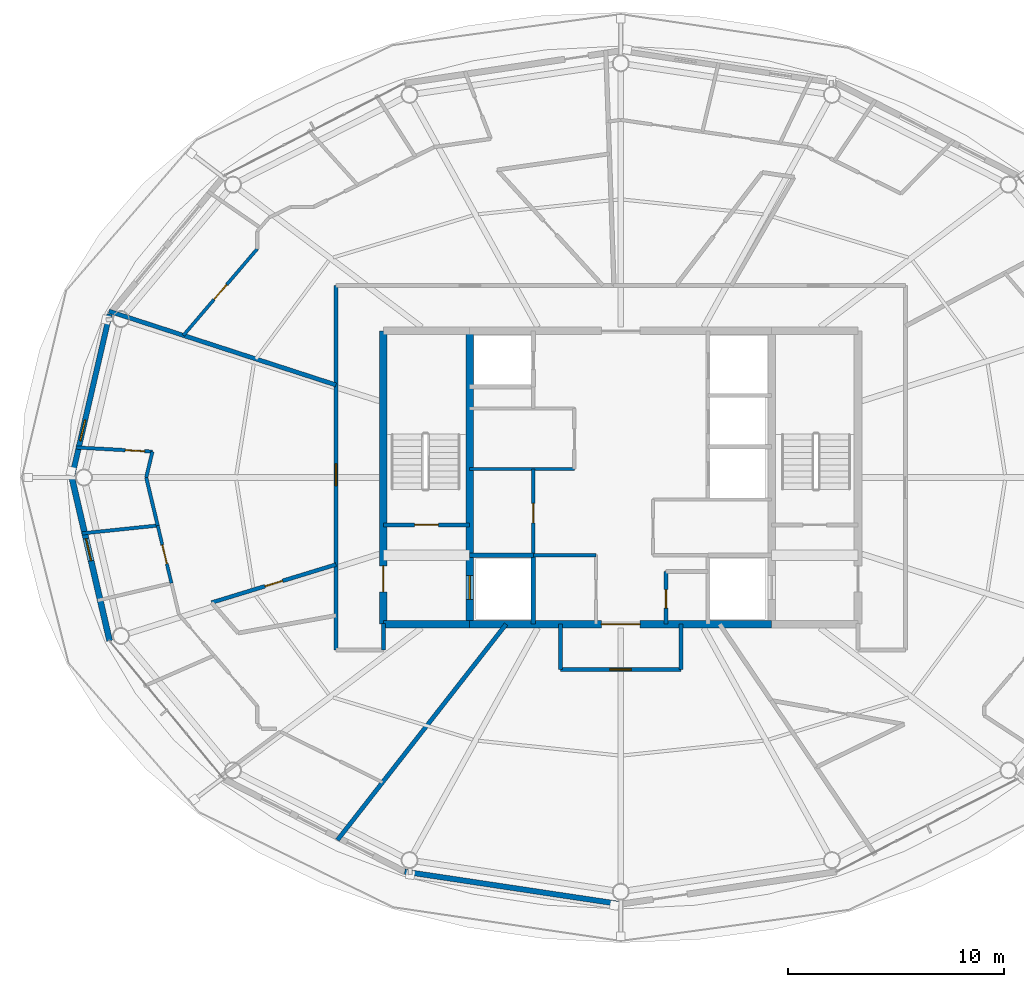
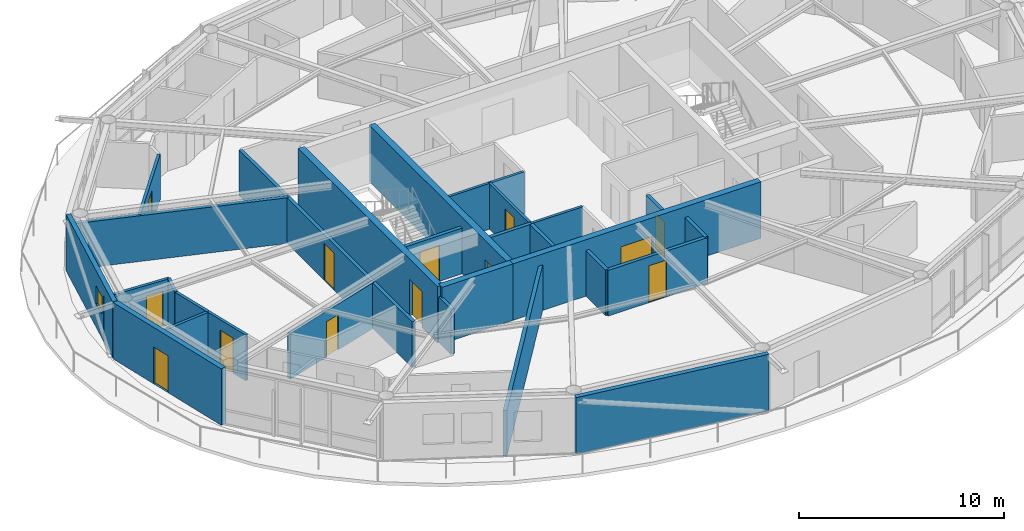
# One storey, part 16 of 22: 28 walls, 13 doors, 1 window, 14 openings.
"""IFC4 building model written with IfcOpenShell, lengths in metres."""

from ifc_helpers import new_model, si_unit, direction, frame, frame_2d, origin, place, context, subcontext, project, spatial, rectangle, extrude, material, layer, layer_set, type_object, element, fill, save


model = new_model("IFC4")

# Units and contexts
model_context = context("Model", 3, precision=1e-05, world=origin(), true_north=direction((0.0, 1.0)))
body_context = subcontext(model_context, "Body", "Model", "MODEL_VIEW")
ifc_project = project(units=[si_unit("LENGTHUNIT", "METRE"), si_unit("AREAUNIT", "SQUARE_METRE"), si_unit("VOLUMEUNIT", "CUBIC_METRE"), si_unit("PLANEANGLEUNIT", "RADIAN"), si_unit("MASSUNIT", "GRAM", prefix="KILO")], contexts=[model_context])

# Site, building, storey
site_placement = place(None, origin())
site = spatial("IfcSite", under=ifc_project, at=site_placement, CompositionType="ELEMENT")
building_placement = place(site_placement, origin())
building = spatial("IfcBuilding", under=site, at=building_placement, Name="Sarneth Arch Tower", CompositionType="ELEMENT")
storey_placement = place(building_placement, frame((0.0, 0.0, 283.800048828125)))
storey = spatial("IfcBuildingStorey", under=building, at=storey_placement, Name="L73", CompositionType="ELEMENT", Elevation=283.800048828125)

# Wall
ifc_material_1 = material(Name="Concrete C50/60", Category="concrete")
ifc_layer_1 = layer(ifc_material_1, 0.35009765625)
ifc_layer_set_1 = layer_set([ifc_layer_1], Name="Concrete C50/60")
wall_type_1 = type_object("IfcWallType", Name="WALL-CORE-350", PredefinedType="SHEAR", material=ifc_layer_set_1)
wall_1_placement = place(storey_placement, frame((37.0, 35.199951171875, 0.0), z_axis=(0.0, 0.0, 1.0), x_axis=(1.0, 0.0, 0.0)))
element("IfcWall", 1, at=wall_1_placement, inside=storey, type_object=wall_type_1, Name="L73 Core shear wall S-W", PredefinedType="SHEAR", context=body_context, shape_type="SweptSolid", body=[
    extrude(rectangle(XDim=4.0, YDim=0.35009765625, at=frame_2d((2.0, 0.0))), origin(), (0.0, 0.0, 1.0), 3.369873046875),
])

# Wall, opening, door
wall_2_placement = place(storey_placement, frame((41.0, 35.199951171875, 0.0), z_axis=(0.0, 0.0, 1.0), x_axis=(1.0, 0.0, 0.0)))
wall_2 = element("IfcWall", 2, at=wall_2_placement, inside=storey, type_object=wall_type_1, Name="L73 Core shear wall S-M", PredefinedType="SHEAR", context=body_context, shape_type="SweptSolid", body=[
    extrude(rectangle(XDim=14.0, YDim=0.35009765625, at=frame_2d((7.0, 0.0))), origin(), (0.0, 0.0, 1.0), 3.369873046875),
])
opening_1_placement = place(wall_2_placement, frame((6.10009765625, 0.0, 0.0)))
opening_1 = element("IfcOpeningElement", 3, at=opening_1_placement, cuts=wall_2, Name="Opening FD-01", PredefinedType="OPENING", context=body_context, shape_type="SweptSolid", body=[
    extrude(rectangle(XDim=1.800048828125, YDim=2.25, at=frame_2d((0.89990234375, 1.125))), frame((0.0, 0.18505859375, 0.0), z_axis=(0.0, -1.0, 0.0), x_axis=(1.0, 0.0, 0.0)), (0.0, 0.0, 1.0), 0.3701171875),
])
ifc_material_2 = material(Name="Galvanised Steel S275 fire door set", Category="steel")
door_type_1 = type_object("IfcDoorType", Name="DR-FD90-1800", OperationType="DOUBLE_DOOR_SINGLE_SWING", PredefinedType="DOOR", material=ifc_material_2)
door_1_placement = place(opening_1_placement, origin())
door_1 = element("IfcDoor", 4, at=door_1_placement, inside=storey, type_object=door_type_1, Name="L73 Central lift lobby south door", OperationType="DOUBLE_DOOR_SINGLE_SWING", OverallHeight=2.25, OverallWidth=1.800048828125, PredefinedType="DOOR", context=body_context, shape_type="SweptSolid", body=[
    extrude(rectangle(XDim=1.800048828125, YDim=2.25, at=frame_2d((0.89990234375, 1.125))), frame((0.0, 0.02490234375, 0.0), z_axis=(0.0, -1.0, 0.0), x_axis=(1.0, 0.0, 0.0)), (0.0, 0.0, 1.0), 0.050048828125),
])
fill(opening_1, door_1)

wall_3_placement = place(storey_placement, frame((37.0, 35.199951171875, 0.0), z_axis=(0.0, 0.0, 1.0), x_axis=(0.0, 1.0, 0.0)))
wall_3 = element("IfcWall", 5, at=wall_3_placement, inside=storey, type_object=wall_type_1, Name="L73 Core shear wall W", PredefinedType="SHEAR", context=body_context, shape_type="SweptSolid", body=[
    extrude(rectangle(XDim=13.60009765625, YDim=0.35009765625, at=frame_2d((6.800048828125, 0.0))), origin(), (0.0, 0.0, 1.0), 3.369873046875),
])
opening_2_placement = place(wall_3_placement, frame((1.5, 0.0, 0.0)))
opening_2 = element("IfcOpeningElement", 6, at=opening_2_placement, cuts=wall_3, Name="Opening FD-02", PredefinedType="OPENING", context=body_context, shape_type="SweptSolid", body=[
    extrude(rectangle(XDim=1.199951171875, YDim=2.14990234375, at=frame_2d((0.60009765625, 1.074951171875))), frame((0.0, 0.18505859375, 0.0), z_axis=(0.0, -1.0, 0.0), x_axis=(1.0, 0.0, 0.0)), (0.0, 0.0, 1.0), 0.3701171875),
])
ifc_material_3 = material(Name="Galvanised Steel S275 fire door set", Category="steel")
door_type_2 = type_object("IfcDoorType", Name="DR-FD90-1200", OperationType="SINGLE_SWING_LEFT", PredefinedType="DOOR", material=ifc_material_3)
door_2_placement = place(opening_2_placement, origin())
door_2 = element("IfcDoor", 7, at=door_2_placement, inside=storey, type_object=door_type_2, Name="L73 Firefighting lobby 1 exit door", OperationType="SINGLE_SWING_LEFT", OverallHeight=2.14990234375, OverallWidth=1.199951171875, PredefinedType="DOOR", context=body_context, shape_type="SweptSolid", body=[
    extrude(rectangle(XDim=1.199951171875, YDim=2.14990234375, at=frame_2d((0.60009765625, 1.074951171875))), frame((0.0, 0.02490234375, 0.0), z_axis=(0.0, -1.0, 0.0), x_axis=(1.0, 0.0, 0.0)), (0.0, 0.0, 1.0), 0.050048828125),
])
fill(opening_2, door_2)

wall_4_placement = place(storey_placement, frame((41.0, 35.199951171875, 0.0), z_axis=(0.0, 0.0, 1.0), x_axis=(0.0, 1.0, 0.0)))
wall_4 = element("IfcWall", 8, at=wall_4_placement, inside=storey, type_object=wall_type_1, Name="L73 Core shear wall WEB-W", PredefinedType="SHEAR", context=body_context, shape_type="SweptSolid", body=[
    extrude(rectangle(XDim=13.60009765625, YDim=0.35009765625, at=frame_2d((6.800048828125, 0.0))), origin(), (0.0, 0.0, 1.0), 3.369873046875),
])
opening_3_placement = place(wall_4_placement, frame((1.14990234375, 0.0, 0.0)))
opening_3 = element("IfcOpeningElement", 9, at=opening_3_placement, cuts=wall_4, Name="Opening LD-1", PredefinedType="OPENING", context=body_context, shape_type="SweptSolid", body=[
    extrude(rectangle(XDim=1.10009765625, YDim=2.199951171875, at=frame_2d((0.550048828125, 1.10009765625))), frame((0.0, 0.18505859375, 0.0), z_axis=(0.0, -1.0, 0.0), x_axis=(1.0, 0.0, 0.0)), (0.0, 0.0, 1.0), 0.3701171875),
])
ifc_material_4 = material(Name="Brushed Stainless Steel 304 lift landing door", Category="steel")
door_type_3 = type_object("IfcDoorType", Name="DR-LIFT-SLIDE-1100", OperationType="SLIDING_TO_LEFT", PredefinedType="DOOR", material=ifc_material_4)
door_3_placement = place(opening_3_placement, origin())
door_3 = element("IfcDoor", 10, at=door_3_placement, inside=storey, type_object=door_type_3, Name="L73 Firefighting lift landing door FL-1", OperationType="SLIDING_TO_LEFT", OverallHeight=2.199951171875, OverallWidth=1.10009765625, PredefinedType="DOOR", context=body_context, shape_type="SweptSolid", body=[
    extrude(rectangle(XDim=1.10009765625, YDim=2.199951171875, at=frame_2d((0.550048828125, 1.10009765625))), frame((0.0, 0.02490234375, 0.0), z_axis=(0.0, -1.0, 0.0), x_axis=(1.0, 0.0, 0.0)), (0.0, 0.0, 1.0), 0.050048828125),
])
fill(opening_3, door_3)

ifc_material_5 = material(Name="Double steel-stud corridor fire wall", Category="steel")
ifc_layer_2 = layer(ifc_material_5, 0.18994140625)
ifc_layer_set_2 = layer_set([ifc_layer_2], Name="Double steel-stud corridor fire wall")
wall_type_2 = type_object("IfcWallType", Name="WALL-CORR-190", PredefinedType="PARTITIONING", material=ifc_layer_set_2)
wall_5_placement = place(storey_placement, frame((34.800048828125, 34.0, 0.0), z_axis=(0.0, 0.0, 1.0), x_axis=(0.0, 1.0, 0.0)))
wall_5 = element("IfcWall", 11, at=wall_5_placement, inside=storey, type_object=wall_type_2, Name="L73 Interior partition W-L73-TP-011", PredefinedType="PARTITIONING", context=body_context, shape_type="SweptSolid", body=[
    extrude(rectangle(XDim=16.89990234375, YDim=0.18994140625, at=frame_2d((8.449951171875, 0.0))), origin(), (0.0, 0.0, 1.0), 2.72998046875),
])
opening_4_placement = place(wall_5_placement, frame((7.626708984375, 0.0, 0.0)))
opening_4 = element("IfcOpeningElement", 12, at=opening_4_placement, cuts=wall_5, Name="Opening FD-08", PredefinedType="OPENING", context=body_context, shape_type="SweptSolid", body=[
    extrude(rectangle(XDim=1.0, YDim=2.199951171875, at=frame_2d((0.5, 1.10009765625))), frame((0.0, 0.10498046875, 0.0), z_axis=(0.0, -1.0, 0.0), x_axis=(1.0, 0.0, 0.0)), (0.0, 0.0, 1.0), 0.2099609375),
])
ifc_material_6 = material(Name="Hardwood timber acoustic fire door", Category="wood")
door_type_4 = type_object("IfcDoorType", Name="DR-FD60-1000", OperationType="SINGLE_SWING_LEFT", PredefinedType="DOOR", material=ifc_material_6)
door_4_placement = place(opening_4_placement, origin())
door_4 = element("IfcDoor", 13, at=door_4_placement, inside=storey, type_object=door_type_4, Name="L73 Interior door DR-L73-U3-ENT", OperationType="SINGLE_SWING_RIGHT", OverallHeight=2.199951171875, OverallWidth=1.0, PredefinedType="DOOR", context=body_context, shape_type="SweptSolid", body=[
    extrude(rectangle(XDim=1.0, YDim=2.199951171875, at=frame_2d((0.5, 1.10009765625))), frame((0.0, 0.02490234375, 0.0), z_axis=(0.0, -1.0, 0.0), x_axis=(1.0, 0.0, 0.0)), (0.0, 0.0, 1.0), 0.050048828125),
])
fill(opening_4, door_4)

wall_6_placement = place(storey_placement, frame((50.800048828125, 33.10009765625, 0.0), z_axis=(0.0, 0.0, 1.0), x_axis=(-1.0, 0.0, 0.0)))
wall_6 = element("IfcWall", 14, at=wall_6_placement, inside=storey, type_object=wall_type_2, Name="L73 Interior partition W-L73-TP-017", PredefinedType="PARTITIONING", context=body_context, shape_type="SweptSolid", body=[
    extrude(rectangle(XDim=5.60009765625, YDim=0.18994140625, at=frame_2d((2.800048828125, 0.0))), origin(), (0.0, 0.0, 1.0), 2.72998046875),
])
opening_5_placement = place(wall_6_placement, frame((2.300048828125, 0.0, 0.0)))
opening_5 = element("IfcOpeningElement", 15, at=opening_5_placement, cuts=wall_6, Name="Opening FD-08", PredefinedType="OPENING", context=body_context, shape_type="SweptSolid", body=[
    extrude(rectangle(XDim=1.0, YDim=2.199951171875, at=frame_2d((0.5, 1.10009765625))), frame((0.0, 0.10498046875, 0.0), z_axis=(0.0, -1.0, 0.0), x_axis=(1.0, 0.0, 0.0)), (0.0, 0.0, 1.0), 0.2099609375),
])
door_5_placement = place(opening_5_placement, origin())
door_5 = element("IfcDoor", 16, at=door_5_placement, inside=storey, type_object=door_type_4, Name="L73 Interior door DR-L73-RAMN-04", OperationType="SINGLE_SWING_RIGHT", OverallHeight=2.199951171875, OverallWidth=1.0, PredefinedType="DOOR", context=body_context, shape_type="SweptSolid", body=[
    extrude(rectangle(XDim=1.0, YDim=2.199951171875, at=frame_2d((0.5, 1.10009765625))), frame((0.0, 0.02490234375, 0.0), z_axis=(0.0, -1.0, 0.0), x_axis=(1.0, 0.0, 0.0)), (0.0, 0.0, 1.0), 0.050048828125),
])
fill(opening_5, door_5)

# Walls
for number, where, z_axis, x_axis, name in (
    (17, (50.800048828125, 35.199951171875, 0.0), (0.0, 0.0, 1.0), (0.0, -1.0, 0.0), "L73 Interior partition W-L73-TP-016"),
    (18, (45.199951171875, 33.10009765625, 0.0), (0.0, 0.0, 1.0), (0.0, 1.0, 0.0), "L73 Interior partition W-L73-TP-018"),
):
    element("IfcWall", number, at=place(storey_placement, frame(where, z_axis=z_axis, x_axis=x_axis)), inside=storey, type_object=wall_type_2, Name=name, PredefinedType="PARTITIONING", context=body_context, shape_type="SweptSolid", body=[
        extrude(rectangle(XDim=2.099853515625, YDim=0.18994140625, at=frame_2d((1.0498046875, 0.0))), origin(), (0.0, 0.0, 1.0), 2.72998046875),
    ])
wall_7_placement = place(storey_placement, frame((37.0, 35.23193359375, 0.0), z_axis=(0.0, 0.0, 1.0), x_axis=(0.0, -1.0, 0.0)))
element("IfcWall", 19, at=wall_7_placement, inside=storey, type_object=wall_type_2, Name="L73 Interior partition W-L73-TP-008", PredefinedType="PARTITIONING", context=body_context, shape_type="SweptSolid", body=[
    extrude(rectangle(XDim=1.23193359375, YDim=0.18994140625, at=frame_2d((0.615966796875, 0.0))), origin(), (0.0, 0.0, 1.0), 2.72998046875),
])

# Wall, opening, window
ifc_material_7 = material(Name="Extruded terracotta rainscreen on Concrete C40/50 backing", Category="masonry")
ifc_layer_3 = layer(ifc_material_7, 0.25)
ifc_layer_set_3 = layer_set([ifc_layer_3], Name="Extruded terracotta rainscreen on Concrete C40/50 backing")
wall_type_3 = type_object("IfcWallType", Name="WALL-EXT-SPAND-250", PredefinedType="SOLIDWALL", material=ifc_layer_set_3)
wall_8_placement = place(storey_placement, frame((24.30615234375, 49.569580078125, 0.0), z_axis=(0.0, 0.0, 1.0), x_axis=(-0.225635078214, -0.974211892495, 0.0)))
wall_8 = element("IfcWall", 20, at=wall_8_placement, inside=storey, type_object=wall_type_3, Name="L73 Terracotta perimeter wall 08", PredefinedType="SOLIDWALL", context=body_context, shape_type="SweptSolid", body=[
    extrude(rectangle(XDim=7.77001953125, YDim=0.25, at=frame_2d((3.885009765625, 0.0))), origin(), (0.0, 0.0, 1.0), 3.369873046875),
])
opening_6_placement = place(wall_8_placement, frame((5.02978515625, 0.0, 1.419921875)))
opening_6 = element("IfcOpeningElement", 21, at=opening_6_placement, cuts=wall_8, Name="Opening W-14", PredefinedType="OPENING", context=body_context, shape_type="SweptSolid", body=[
    extrude(rectangle(XDim=1.0, YDim=1.050048828125, at=frame_2d((0.5, 0.52490234375))), frame((0.0, 0.135009765625, 0.0), z_axis=(0.0, -1.0, 0.0), x_axis=(1.0, 0.0, 0.0)), (0.0, 0.0, 1.0), 0.27001953125),
])
ifc_material_8 = material(Name="Thermally broken Aluminium 6063-T6 and low-e laminated IGU", Category="aluminium")
window_type = type_object("IfcWindowType", Name="WIN-TWR-1000x1050", PartitioningType="SINGLE_PANEL", PredefinedType="WINDOW", material=ifc_material_8)
window_placement = place(opening_6_placement, origin())
window = element("IfcWindow", 22, at=window_placement, inside=storey, type_object=window_type, Name="L73 Dwelling bedroom window 03", OverallHeight=1.050048828125, OverallWidth=1.0, PartitioningType="SINGLE_PANEL", PredefinedType="WINDOW", context=body_context, shape_type="SweptSolid", body=[
    extrude(rectangle(XDim=1.0, YDim=1.050048828125, at=frame_2d((0.5, 0.52490234375))), frame((0.0, 0.030029296875, 0.0), z_axis=(0.0, -1.0, 0.0), x_axis=(1.0, 0.0, 0.0)), (0.0, 0.0, 1.0), 0.06005859375),
])
fill(opening_6, window)

# Wall
wall_9_placement = place(storey_placement, frame((37.9873046875, 23.7255859375, 0.0), z_axis=(0.0, 0.0, 1.0), x_axis=(0.988882522213, -0.148698881169, 0.0)))
element("IfcWall", 23, at=wall_9_placement, inside=storey, type_object=wall_type_3, Name="L73 Terracotta perimeter wall 12", PredefinedType="SOLIDWALL", context=body_context, shape_type="SweptSolid", body=[
    extrude(rectangle(XDim=10.125244140625, YDim=0.25, at=frame_2d((5.0625, 0.0))), origin(), (0.0, 0.0, 1.0), 3.369873046875),
])

# Wall, opening, door
ifc_material_9 = material(Name="Extruded terracotta rainscreen on Concrete C40/50 backing", Category="masonry")
ifc_layer_4 = layer(ifc_material_9, 0.280029296875)
ifc_layer_set_4 = layer_set([ifc_layer_4], Name="Extruded terracotta rainscreen on Concrete C40/50 backing")
wall_type_4 = type_object("IfcWallType", Name="WALL-EXT-TERRA-280", PredefinedType="SOLIDWALL", material=ifc_layer_set_4)
wall_10_placement = place(storey_placement, frame((22.552978515625, 42.0, 0.0), z_axis=(0.0, 0.0, 1.0), x_axis=(0.225635078214, -0.974211892495, 0.0)))
wall_10 = element("IfcWall", 24, at=wall_10_placement, inside=storey, type_object=wall_type_4, Name="L73 Terracotta perimeter wall 09", PredefinedType="SOLIDWALL", context=body_context, shape_type="SweptSolid", body=[
    extrude(rectangle(XDim=7.77001953125, YDim=0.280029296875, at=frame_2d((3.885009765625, 0.0))), origin(), (0.0, 0.0, 1.0), 3.369873046875),
])
opening_7_placement = place(wall_10_placement, frame((2.911865234375, 0.0, 0.0)))
opening_7 = element("IfcOpeningElement", 25, at=opening_7_placement, cuts=wall_10, Name="Opening BD-4", PredefinedType="OPENING", context=body_context, shape_type="SweptSolid", body=[
    extrude(rectangle(XDim=1.050048828125, YDim=2.199951171875, at=frame_2d((0.52490234375, 1.10009765625))), frame((0.0, 0.14990234375, 0.0), z_axis=(0.0, -1.0, 0.0), x_axis=(1.0, 0.0, 0.0)), (0.0, 0.0, 1.0), 0.300048828125),
])
ifc_material_10 = material(Name="Thermally broken Aluminium 6063-T6 and laminated safety glass", Category="aluminium")
door_type_5 = type_object("IfcDoorType", Name="DR-BALC-GLZ-1050", OperationType="SINGLE_SWING_RIGHT", PredefinedType="DOOR", material=ifc_material_10)
door_6_placement = place(opening_7_placement, origin())
door_6 = element("IfcDoor", 26, at=door_6_placement, inside=storey, type_object=door_type_5, Name="L73 Balcony glazed door 09", OperationType="SINGLE_SWING_RIGHT", OverallHeight=2.199951171875, OverallWidth=1.050048828125, PredefinedType="DOOR", context=body_context, shape_type="SweptSolid", body=[
    extrude(rectangle(XDim=1.050048828125, YDim=2.199951171875, at=frame_2d((0.52490234375, 1.10009765625))), frame((0.0, 0.02490234375, 0.0), z_axis=(0.0, -1.0, 0.0), x_axis=(1.0, 0.0, 0.0)), (0.0, 0.0, 1.0), 0.050048828125),
])
fill(opening_7, door_6)

ifc_material_11 = material(Name="Acoustic gypsum stud partition", Category="gypsum")
ifc_layer_5 = layer(ifc_material_11, 0.14990234375)
ifc_layer_set_5 = layer_set([ifc_layer_5], Name="Acoustic gypsum stud partition")
wall_type_5 = type_object("IfcWallType", Name="WALL-PART-150", PredefinedType="PARTITIONING", material=ifc_layer_set_5)
wall_11_placement = place(storey_placement, frame((43.949951171875, 38.39990234375, 0.0), z_axis=(0.0, 0.0, 1.0), x_axis=(0.0, 1.0, 0.0)))
wall_11 = element("IfcWall", 27, at=wall_11_placement, inside=storey, type_object=wall_type_5, Name="L73 Interior partition W-L73-RECPL-E", PredefinedType="PARTITIONING", context=body_context, shape_type="SweptSolid", body=[
    extrude(rectangle(XDim=4.0, YDim=0.14990234375, at=frame_2d((2.0, 0.0))), origin(), (0.0, 0.0, 1.0), 2.72998046875),
])
opening_8_placement = place(wall_11_placement, frame((1.5, 0.0, 0.0)))
opening_8 = element("IfcOpeningElement", 28, at=opening_8_placement, cuts=wall_11, Name="Opening FD-10", PredefinedType="OPENING", context=body_context, shape_type="SweptSolid", body=[
    extrude(rectangle(XDim=0.89990234375, YDim=2.14990234375, at=frame_2d((0.449951171875, 1.074951171875))), frame((0.0, 0.0849609375, 0.0), z_axis=(0.0, -1.0, 0.0), x_axis=(1.0, 0.0, 0.0)), (0.0, 0.0, 1.0), 0.169921875),
])
ifc_material_12 = material(Name="Galvanised Steel S275 riser/service fire door", Category="steel")
door_type_6 = type_object("IfcDoorType", Name="DR-FD60-900", OperationType="SINGLE_SWING_LEFT", PredefinedType="DOOR", material=ifc_material_12)
door_7_placement = place(opening_8_placement, origin())
door_7 = element("IfcDoor", 29, at=door_7_placement, inside=storey, type_object=door_type_6, Name="L73 Interior door DR-L73-RECPL", OperationType="SINGLE_SWING_LEFT", OverallHeight=2.14990234375, OverallWidth=0.89990234375, PredefinedType="DOOR", context=body_context, shape_type="SweptSolid", body=[
    extrude(rectangle(XDim=0.89990234375, YDim=2.14990234375, at=frame_2d((0.449951171875, 1.074951171875))), frame((0.0, 0.02490234375, 0.0), z_axis=(0.0, -1.0, 0.0), x_axis=(1.0, 0.0, 0.0)), (0.0, 0.0, 1.0), 0.050048828125),
])
fill(opening_8, door_7)

# Walls
wall_12_placement = place(storey_placement, frame((41.0, 42.39990234375, 0.0), z_axis=(0.0, 0.0, 1.0), x_axis=(1.0, 0.0, 0.0)))
element("IfcWall", 30, at=wall_12_placement, inside=storey, type_object=wall_type_5, Name="L73 Interior partition W-L73-RECPM1-S", PredefinedType="PARTITIONING", context=body_context, shape_type="SweptSolid", body=[
    extrude(rectangle(XDim=4.85009765625, YDim=0.14990234375, at=frame_2d((2.425048828125, 0.0))), origin(), (0.0, 0.0, 1.0), 2.72998046875),
])
wall_13_placement = place(storey_placement, frame((43.949951171875, 38.39990234375, 0.0), z_axis=(0.0, 0.0, 1.0), x_axis=(1.0, 0.0, 0.0)))
element("IfcWall", 31, at=wall_13_placement, inside=storey, type_object=wall_type_5, Name="L73 Interior partition W-L73-CSUP1-N", PredefinedType="PARTITIONING", context=body_context, shape_type="SweptSolid", body=[
    extrude(rectangle(XDim=2.900146484375, YDim=0.14990234375, at=frame_2d((1.4501953125, 0.0))), origin(), (0.0, 0.0, 1.0), 2.72998046875),
])

# Wall, opening, door
wall_14_placement = place(storey_placement, frame((27.72607421875, 48.58740234375, 0.0), z_axis=(0.0, 0.0, 1.0), x_axis=(0.649196412447, 0.760620810961, 0.0)))
wall_14 = element("IfcWall", 32, at=wall_14_placement, inside=storey, type_object=wall_type_5, Name="L73 Interior partition W-L73-TP-047", PredefinedType="PARTITIONING", context=body_context, shape_type="SweptSolid", body=[
    extrude(rectangle(XDim=5.27392578125, YDim=0.14990234375, at=frame_2d((2.636962890625, 0.0))), origin(), (0.0, 0.0, 1.0), 2.72998046875),
])
opening_9_placement = place(wall_14_placement, frame((2.18701171875, 0.0, 0.0)))
opening_9 = element("IfcOpeningElement", 33, at=opening_9_placement, cuts=wall_14, Name="Opening ID-01", PredefinedType="OPENING", context=body_context, shape_type="SweptSolid", body=[
    extrude(rectangle(XDim=0.89990234375, YDim=2.10009765625, at=frame_2d((0.449951171875, 1.050048828125))), frame((0.0, 0.0849609375, 0.0), z_axis=(0.0, -1.0, 0.0), x_axis=(1.0, 0.0, 0.0)), (0.0, 0.0, 1.0), 0.169921875),
])
ifc_material_13 = material(Name="Engineered hardwood flush door", Category="wood")
door_type_7 = type_object("IfcDoorType", Name="DR-INT-900", OperationType="SINGLE_SWING_LEFT", PredefinedType="DOOR", material=ifc_material_13)
door_8_placement = place(opening_9_placement, origin())
door_8 = element("IfcDoor", 34, at=door_8_placement, inside=storey, type_object=door_type_7, Name="L73 Interior door DR-L73-U2-BED2", OperationType="SINGLE_SWING_LEFT", OverallHeight=2.10009765625, OverallWidth=0.89990234375, PredefinedType="DOOR", context=body_context, shape_type="SweptSolid", body=[
    extrude(rectangle(XDim=0.89990234375, YDim=2.10009765625, at=frame_2d((0.449951171875, 1.050048828125))), frame((0.0, 0.02490234375, 0.0), z_axis=(0.0, -1.0, 0.0), x_axis=(1.0, 0.0, 0.0)), (0.0, 0.0, 1.0), 0.050048828125),
])
fill(opening_9, door_8)

wall_15_placement = place(storey_placement, frame((26.53564453125, 39.772705078125, 0.0), z_axis=(0.0, 0.0, 1.0), x_axis=(0.232333689401, -0.97263613791, 0.0)))
wall_15 = element("IfcWall", 35, at=wall_15_placement, inside=storey, type_object=wall_type_5, Name="L73 Interior partition W-L73-TP-055", PredefinedType="PARTITIONING", context=body_context, shape_type="SweptSolid", body=[
    extrude(rectangle(XDim=2.745849609375, YDim=0.14990234375, at=frame_2d((1.373046875, 0.0))), origin(), (0.0, 0.0, 1.0), 2.72998046875),
])
opening_10_placement = place(wall_15_placement, frame((0.9228515625, 0.0, 0.0)))
opening_10 = element("IfcOpeningElement", 36, at=opening_10_placement, cuts=wall_15, Name="Opening ID-01", PredefinedType="OPENING", context=body_context, shape_type="SweptSolid", body=[
    extrude(rectangle(XDim=0.89990234375, YDim=2.10009765625, at=frame_2d((0.449951171875, 1.050048828125))), frame((0.0, 0.0849609375, 0.0), z_axis=(0.0, -1.0, 0.0), x_axis=(1.0, 0.0, 0.0)), (0.0, 0.0, 1.0), 0.169921875),
])
door_9_placement = place(opening_10_placement, origin())
door_9 = element("IfcDoor", 37, at=door_9_placement, inside=storey, type_object=door_type_7, Name="L73 Interior door DR-L73-U3-STD", OperationType="SINGLE_SWING_LEFT", OverallHeight=2.10009765625, OverallWidth=0.89990234375, PredefinedType="DOOR", context=body_context, shape_type="SweptSolid", body=[
    extrude(rectangle(XDim=0.89990234375, YDim=2.10009765625, at=frame_2d((0.449951171875, 1.050048828125))), frame((0.0, 0.02490234375, 0.0), z_axis=(0.0, -1.0, 0.0), x_axis=(1.0, 0.0, 0.0)), (0.0, 0.0, 1.0), 0.050048828125),
])
fill(opening_10, door_9)

ifc_material_14 = material(Name="Kitchen wet service chase wall", Category="gypsum")
ifc_layer_6 = layer(ifc_material_14, 0.159912109375)
ifc_layer_set_6 = layer_set([ifc_layer_6], Name="Kitchen wet service chase wall")
wall_type_6 = type_object("IfcWallType", Name="WALL-PLUMB-160", PredefinedType="PLUMBINGWALL", material=ifc_layer_set_6)
wall_16_placement = place(storey_placement, frame((22.75439453125, 43.39306640625, 0.0), z_axis=(0.0, 0.0, 1.0), x_axis=(0.998481285203, -0.055091951307, 0.0)))
wall_16 = element("IfcWall", 38, at=wall_16_placement, inside=storey, type_object=wall_type_6, Name="L73 Interior partition W-L73-TP-056", PredefinedType="PLUMBINGWALL", context=body_context, shape_type="SweptSolid", body=[
    extrude(rectangle(XDim=3.540771484375, YDim=0.159912109375, at=frame_2d((1.7705078125, 0.0))), origin(), (0.0, 0.0, 1.0), 2.72998046875),
])
opening_11_placement = place(wall_16_placement, frame((2.280517578125, 0.0, 0.0)))
opening_11 = element("IfcOpeningElement", 39, at=opening_11_placement, cuts=wall_16, Name="Opening ID-01", PredefinedType="OPENING", context=body_context, shape_type="SweptSolid", body=[
    extrude(rectangle(XDim=0.89990234375, YDim=2.10009765625, at=frame_2d((0.449951171875, 1.050048828125))), frame((0.0, 0.08984375, 0.0), z_axis=(0.0, -1.0, 0.0), x_axis=(1.0, 0.0, 0.0)), (0.0, 0.0, 1.0), 0.179931640625),
])
door_10_placement = place(opening_11_placement, origin())
door_10 = element("IfcDoor", 40, at=door_10_placement, inside=storey, type_object=door_type_7, Name="L73 Interior door DR-L73-U3-KIT", OperationType="SINGLE_SWING_RIGHT", OverallHeight=2.10009765625, OverallWidth=0.89990234375, PredefinedType="DOOR", context=body_context, shape_type="SweptSolid", body=[
    extrude(rectangle(XDim=0.89990234375, YDim=2.10009765625, at=frame_2d((0.449951171875, 1.050048828125))), frame((0.0, 0.02490234375, 0.0), z_axis=(0.0, -1.0, 0.0), x_axis=(1.0, 0.0, 0.0)), (0.0, 0.0, 1.0), 0.050048828125),
])
fill(opening_11, door_10)

# Walls
wall_17_placement = place(storey_placement, frame((26.53564453125, 39.772705078125, 0.0), z_axis=(0.0, 0.0, 1.0), x_axis=(-0.994663387729, -0.103173374039, 0.0)))
element("IfcWall", 41, at=wall_17_placement, inside=storey, type_object=wall_type_6, Name="L73 Interior partition W-L73-TP-070", PredefinedType="PLUMBINGWALL", context=body_context, shape_type="SweptSolid", body=[
    extrude(rectangle(XDim=3.5234375, YDim=0.159912109375, at=frame_2d((1.76171875, 0.0))), origin(), (0.0, 0.0, 1.0), 2.72998046875),
])
wall_18_placement = place(storey_placement, frame((26.003662109375, 42.0, 0.0), z_axis=(0.0, 0.0, 1.0), x_axis=(0.232312317028, -0.972641242883, 0.0)))
element("IfcWall", 42, at=wall_18_placement, inside=storey, type_object=wall_type_6, Name="L73 Interior partition W-L73-TP-058", PredefinedType="PLUMBINGWALL", context=body_context, shape_type="SweptSolid", body=[
    extrude(rectangle(XDim=2.2900390625, YDim=0.159912109375, at=frame_2d((1.14501953125, 0.0))), origin(), (0.0, 0.0, 1.0), 2.72998046875),
])
wall_19_placement = place(storey_placement, frame((26.289794921875, 43.197998046875, 0.0), z_axis=(0.0, 0.0, 1.0), x_axis=(-0.232308267809, -0.972642210017, 0.0)))
element("IfcWall", 43, at=wall_19_placement, inside=storey, type_object=wall_type_6, Name="L73 Interior partition W-L73-TP-057", PredefinedType="PLUMBINGWALL", context=body_context, shape_type="SweptSolid", body=[
    extrude(rectangle(XDim=1.231689453125, YDim=0.159912109375, at=frame_2d((0.61572265625, 0.0))), origin(), (0.0, 0.0, 1.0), 2.72998046875),
])

# Wall, opening, door
ifc_material_15 = material(Name="Moisture-resistant plumbing chase wall", Category="gypsum")
ifc_layer_7 = layer(ifc_material_15, 0.179931640625)
ifc_layer_set_7 = layer_set([ifc_layer_7], Name="Moisture-resistant plumbing chase wall")
wall_type_7 = type_object("IfcWallType", Name="WALL-PLUMB-180", PredefinedType="PLUMBINGWALL", material=ifc_layer_set_7)
wall_20_placement = place(storey_placement, frame((50.10009765625, 35.199951171875, 0.0), z_axis=(0.0, 0.0, 1.0), x_axis=(0.0, 1.0, 0.0)))
wall_20 = element("IfcWall", 44, at=wall_20_placement, inside=storey, type_object=wall_type_7, Name="L73 Interior partition W-L73-AWC-W", PredefinedType="PLUMBINGWALL", context=body_context, shape_type="SweptSolid", body=[
    extrude(rectangle(XDim=2.449951171875, YDim=0.179931640625, at=frame_2d((1.22509765625, 0.0))), origin(), (0.0, 0.0, 1.0), 2.72998046875),
])
opening_12_placement = place(wall_20_placement, frame((0.75, 0.0, 0.0)))
opening_12 = element("IfcOpeningElement", 45, at=opening_12_placement, cuts=wall_20, Name="Opening ID-02", PredefinedType="OPENING", context=body_context, shape_type="SweptSolid", body=[
    extrude(rectangle(XDim=0.85009765625, YDim=2.10009765625, at=frame_2d((0.425048828125, 1.050048828125))), frame((0.0, 0.099853515625, 0.0), z_axis=(0.0, -1.0, 0.0), x_axis=(1.0, 0.0, 0.0)), (0.0, 0.0, 1.0), 0.199951171875),
])
ifc_material_16 = material(Name="Moisture-resistant bathroom timber door", Category="wood")
door_type_8 = type_object("IfcDoorType", Name="DR-INT-850", OperationType="SINGLE_SWING_RIGHT", PredefinedType="DOOR", material=ifc_material_16)
door_11_placement = place(opening_12_placement, origin())
door_11 = element("IfcDoor", 46, at=door_11_placement, inside=storey, type_object=door_type_8, Name="L73 Interior door DR-L73-AWC", OperationType="SINGLE_SWING_RIGHT", OverallHeight=2.10009765625, OverallWidth=0.85009765625, PredefinedType="DOOR", context=body_context, shape_type="SweptSolid", body=[
    extrude(rectangle(XDim=0.85009765625, YDim=2.10009765625, at=frame_2d((0.425048828125, 1.050048828125))), frame((0.0, 0.02490234375, 0.0), z_axis=(0.0, -1.0, 0.0), x_axis=(1.0, 0.0, 0.0)), (0.0, 0.0, 1.0), 0.050048828125),
])
fill(opening_12, door_11)

wall_21_placement = place(storey_placement, frame((34.800048828125, 37.96435546875, 0.0), z_axis=(0.0, 0.0, 1.0), x_axis=(-0.956308169094, -0.292360540641, 0.0)))
wall_21 = element("IfcWall", 47, at=wall_21_placement, inside=storey, type_object=wall_type_7, Name="L73 Interior partition W-L73-TP-059", PredefinedType="PLUMBINGWALL", context=body_context, shape_type="SweptSolid", body=[
    extrude(rectangle(XDim=6.027587890625, YDim=0.179931640625, at=frame_2d((3.013671875, 0.0))), origin(), (0.0, 0.0, 1.0), 2.72998046875),
])
opening_13_placement = place(wall_21_placement, frame((2.588623046875, 0.0, 0.0)))
opening_13 = element("IfcOpeningElement", 48, at=opening_13_placement, cuts=wall_21, Name="Opening ID-02", PredefinedType="OPENING", context=body_context, shape_type="SweptSolid", body=[
    extrude(rectangle(XDim=0.85009765625, YDim=2.10009765625, at=frame_2d((0.425048828125, 1.050048828125))), frame((0.0, 0.099853515625, 0.0), z_axis=(0.0, -1.0, 0.0), x_axis=(1.0, 0.0, 0.0)), (0.0, 0.0, 1.0), 0.199951171875),
])
door_12_placement = place(opening_13_placement, origin())
door_12 = element("IfcDoor", 49, at=door_12_placement, inside=storey, type_object=door_type_8, Name="L73 Interior door DR-L73-U3-BATH", OperationType="SINGLE_SWING_LEFT", OverallHeight=2.10009765625, OverallWidth=0.85009765625, PredefinedType="DOOR", context=body_context, shape_type="SweptSolid", body=[
    extrude(rectangle(XDim=0.85009765625, YDim=2.10009765625, at=frame_2d((0.425048828125, 1.050048828125))), frame((0.0, 0.02490234375, 0.0), z_axis=(0.0, -1.0, 0.0), x_axis=(1.0, 0.0, 0.0)), (0.0, 0.0, 1.0), 0.050048828125),
])
fill(opening_13, door_12)

ifc_material_17 = material(Name="Aerated concrete blockwork C25/30", Category="masonry")
ifc_layer_8 = layer(ifc_material_17, 0.199951171875)
ifc_layer_set_8 = layer_set([ifc_layer_8], Name="Aerated concrete blockwork C25/30")
wall_type_8 = type_object("IfcWallType", Name="WALL-SHAFT-200", PredefinedType="SOLIDWALL", material=ifc_layer_set_8)
wall_22_placement = place(storey_placement, frame((37.0, 39.800048828125, 0.0), z_axis=(0.0, 0.0, 1.0), x_axis=(1.0, 0.0, 0.0)))
wall_22 = element("IfcWall", 50, at=wall_22_placement, inside=storey, type_object=wall_type_8, Name="L73 Interior partition W-L73-ST1-S", PredefinedType="SOLIDWALL", context=body_context, shape_type="SweptSolid", body=[
    extrude(rectangle(XDim=4.0, YDim=0.199951171875, at=frame_2d((2.0, 0.0))), origin(), (0.0, 0.0, 1.0), 2.72998046875),
])
opening_14_placement = place(wall_22_placement, frame((1.449951171875, 0.0, 0.0)))
opening_14 = element("IfcOpeningElement", 51, at=opening_14_placement, cuts=wall_22, Name="Opening FD-03", PredefinedType="OPENING", context=body_context, shape_type="SweptSolid", body=[
    extrude(rectangle(XDim=1.10009765625, YDim=2.14990234375, at=frame_2d((0.550048828125, 1.074951171875))), frame((0.0, 0.10986328125, 0.0), z_axis=(0.0, -1.0, 0.0), x_axis=(1.0, 0.0, 0.0)), (0.0, 0.0, 1.0), 0.219970703125),
])
ifc_material_18 = material(Name="Galvanised Steel S275 fire door set", Category="steel")
door_type_9 = type_object("IfcDoorType", Name="DR-FD90-1100", OperationType="SINGLE_SWING_LEFT", PredefinedType="DOOR", material=ifc_material_18)
door_13_placement = place(opening_14_placement, origin())
door_13 = element("IfcDoor", 52, at=door_13_placement, inside=storey, type_object=door_type_9, Name="L73 Interior door DR-L73-ST1", OperationType="SINGLE_SWING_LEFT", OverallHeight=2.14990234375, OverallWidth=1.10009765625, PredefinedType="DOOR", context=body_context, shape_type="SweptSolid", body=[
    extrude(rectangle(XDim=1.10009765625, YDim=2.14990234375, at=frame_2d((0.550048828125, 1.074951171875))), frame((0.0, 0.02490234375, 0.0), z_axis=(0.0, -1.0, 0.0), x_axis=(1.0, 0.0, 0.0)), (0.0, 0.0, 1.0), 0.050048828125),
])
fill(opening_14, door_13)

# Walls
wall_23_placement = place(storey_placement, frame((43.949951171875, 35.199951171875, 0.0), z_axis=(0.0, 0.0, 1.0), x_axis=(0.0, 1.0, 0.0)))
element("IfcWall", 53, at=wall_23_placement, inside=storey, type_object=wall_type_8, Name="L73 Interior partition W-L73-FL1-E", PredefinedType="SOLIDWALL", context=body_context, shape_type="SweptSolid", body=[
    extrude(rectangle(XDim=3.199951171875, YDim=0.199951171875, at=frame_2d((1.60009765625, 0.0))), origin(), (0.0, 0.0, 1.0), 2.72998046875),
])
wall_24_placement = place(storey_placement, frame((41.0, 38.39990234375, 0.0), z_axis=(0.0, 0.0, 1.0), x_axis=(1.0, 0.0, 0.0)))
element("IfcWall", 54, at=wall_24_placement, inside=storey, type_object=wall_type_8, Name="L73 Interior partition W-L73-FL1-N", PredefinedType="SOLIDWALL", context=body_context, shape_type="SweptSolid", body=[
    extrude(rectangle(XDim=2.949951171875, YDim=0.199951171875, at=frame_2d((1.47509765625, 0.0))), origin(), (0.0, 0.0, 1.0), 2.72998046875),
])
ifc_material_19 = material(Name="Double steel-stud acoustic drywall", Category="steel")
ifc_layer_9 = layer(ifc_material_19, 0.199951171875)
ifc_layer_set_9 = layer_set([ifc_layer_9], Name="Double steel-stud acoustic drywall")
wall_type_9 = type_object("IfcWallType", Name="WALL-UNIT-200", PredefinedType="PARTITIONING", material=ifc_layer_set_9)
wall_25_placement = place(storey_placement, frame((42.687255859375, 35.199951171875, 0.0), z_axis=(0.0, 0.0, 1.0), x_axis=(-0.615663811723, -0.788008928208, 0.0)))
element("IfcWall", 55, at=wall_25_placement, inside=storey, type_object=wall_type_9, Name="L73 Interior partition W-L73-TP-069", PredefinedType="PARTITIONING", context=body_context, shape_type="SweptSolid", body=[
    extrude(rectangle(XDim=12.701171875, YDim=0.199951171875, at=frame_2d((6.3505859375, 0.0))), origin(), (0.0, 0.0, 1.0), 2.72998046875),
])
wall_26_placement = place(storey_placement, frame((24.2763671875, 49.708251953125, 0.0), z_axis=(0.0, 0.0, 1.0), x_axis=(0.951054334328, -0.309023709699, 0.0)))
element("IfcWall", 56, at=wall_26_placement, inside=storey, type_object=wall_type_9, Name="L73 Interior partition W-L73-TP-050", PredefinedType="PARTITIONING", context=body_context, shape_type="SweptSolid", body=[
    extrude(rectangle(XDim=11.065185546875, YDim=0.199951171875, at=frame_2d((5.53271484375, 0.0))), origin(), (0.0, 0.0, 1.0), 2.72998046875),
])

save(model, "model.ifc")
